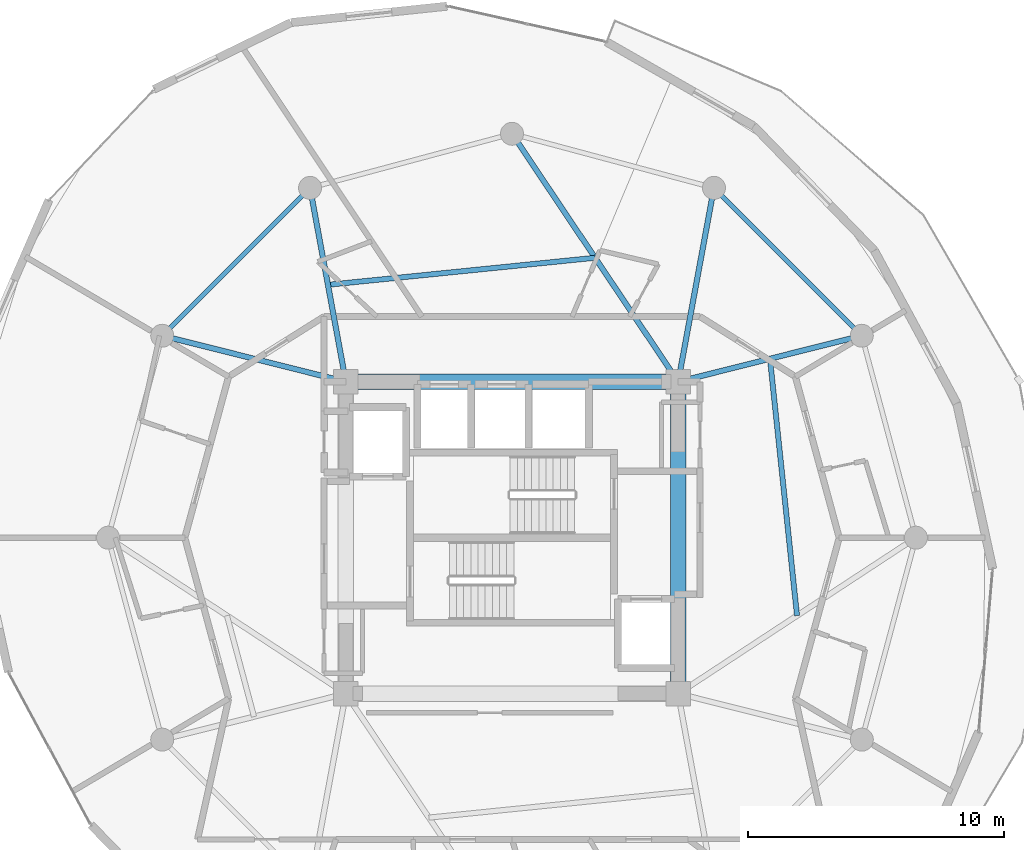
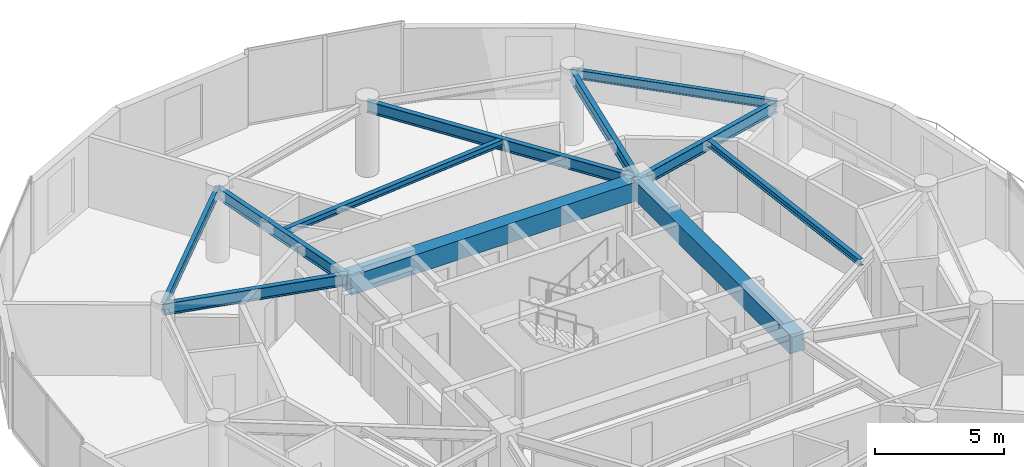
# One storey, part 10 of 23: 11 beams.
"""IFC4 building model written with IfcOpenShell, lengths in metres."""

from ifc_helpers import new_model, si_unit, direction, frame, origin, origin_2d, place, context, subcontext, project, spatial, rectangle, i_section, extrude, material, material_profile, profile_set, type_object, element, save


model = new_model("IFC4")

# Units and contexts
model_context = context("Model", 3, precision=1e-05, world=origin(), true_north=direction((0.0, 1.0)))
body_context = subcontext(model_context, "Body", "Model", "MODEL_VIEW")
ifc_project = project(units=[si_unit("LENGTHUNIT", "METRE"), si_unit("AREAUNIT", "SQUARE_METRE"), si_unit("VOLUMEUNIT", "CUBIC_METRE"), si_unit("PLANEANGLEUNIT", "RADIAN"), si_unit("MASSUNIT", "GRAM", prefix="KILO")], contexts=[model_context])

# Site, building, storey
site_placement = place(None, origin())
site = spatial("IfcSite", under=ifc_project, at=site_placement, CompositionType="ELEMENT")
building_placement = place(site_placement, origin())
building = spatial("IfcBuilding", under=site, at=building_placement, Name="Solvirekh Grand Hotel", CompositionType="ELEMENT")
storey_placement = place(building_placement, frame((0.0, 0.0, 180.39990234375)))
storey = spatial("IfcBuildingStorey", under=building, at=storey_placement, Name="L46", CompositionType="ELEMENT", Elevation=180.39990234375)

# Beams
ifc_material_1 = material(Name="Concrete C50/60", Category="concrete")
ifc_material_profile_1 = material_profile(ifc_material_1, rectangle(XDim=0.60009765625, YDim=0.89990234375, at=origin_2d()), Name="RC BEAM 600X900")
ifc_profile_set_1 = profile_set([ifc_material_profile_1], Name="Concrete C50/60")
beam_type_1 = type_object("IfcBeamType", Name="Beam_Core_RC900", PredefinedType="BEAM", material=ifc_profile_set_1)
beam_1_placement = place(storey_placement, frame((6.5, -6.10009765625, 2.91015625), z_axis=(0.0, 1.0, 0.0), x_axis=(-1.0, 0.0, 0.0)))
element("IfcBeam", 1, at=beam_1_placement, inside=storey, type_object=beam_type_1, Name="L46 core coupling ring beam 2", PredefinedType="BEAM", context=body_context, shape_type="SweptSolid", body=[
    extrude(rectangle(XDim=0.60009765625, YDim=0.89990234375, at=origin_2d()), origin(), (0.0, 0.0, 1.0), 12.2001953125),
])
beam_2_placement = place(storey_placement, frame((6.5, 6.10009765625, 2.91015625), z_axis=(-1.0, 0.0, 0.0), x_axis=(0.0, -1.0, 0.0)))
element("IfcBeam", 2, at=beam_2_placement, inside=storey, type_object=beam_type_1, Name="L46 core coupling ring beam 3", PredefinedType="BEAM", context=body_context, shape_type="SweptSolid", body=[
    extrude(rectangle(XDim=0.60009765625, YDim=0.89990234375, at=origin_2d()), origin(), (0.0, 0.0, 1.0), 13.0),
])
ifc_material_2 = material(Name="Steel S355", Category="steel")
ifc_material_profile_2 = material_profile(ifc_material_2, i_section(OverallWidth=0.2119140625, OverallDepth=0.5439453125, WebThickness=0.011962890625, FlangeThickness=0.01904296875, FilletRadius=0.013916015625, at=origin_2d()), Name="W530X123")
ifc_profile_set_2 = profile_set([ifc_material_profile_2], Name="Steel S355")
beam_type_2 = type_object("IfcBeamType", Name="Beam_Radial_W530H", PredefinedType="BEAM", material=ifc_profile_set_2)
beam_3_placement = place(storey_placement, frame((6.5, 6.10009765625, 3.088134765625), z_axis=(0.970014367692, 0.243047580675, 0.0), x_axis=(-0.243047580675, 0.970014367692, 0.0)))
element("IfcBeam", 3, at=beam_3_placement, inside=storey, type_object=beam_type_2, Name="L46 radial floor beam R02", PredefinedType="BEAM", context=body_context, shape_type="SweptSolid", body=[
    extrude(i_section(OverallWidth=0.2119140625, OverallDepth=0.5439453125, WebThickness=0.011962890625, FlangeThickness=0.01904296875, FilletRadius=0.013916015625, at=origin_2d()), origin(), (0.0, 0.0, 1.0), 7.4052734375),
])
beam_4_placement = place(storey_placement, frame((6.5, 6.10009765625, 3.088134765625), z_axis=(0.181542769111, 0.983383049978, 0.0), x_axis=(-0.983383049978, 0.181542769111, 0.0)))
element("IfcBeam", 4, at=beam_4_placement, inside=storey, type_object=beam_type_2, Name="L46 radial floor beam R03", PredefinedType="BEAM", context=body_context, shape_type="SweptSolid", body=[
    extrude(i_section(OverallWidth=0.2119140625, OverallDepth=0.5439453125, WebThickness=0.011962890625, FlangeThickness=0.01904296875, FilletRadius=0.013916015625, at=origin_2d()), origin(), (0.0, 0.0, 1.0), 7.711181640625),
])
beam_5_placement = place(storey_placement, frame((6.5, 6.10009765625, 3.088134765625), z_axis=(-0.556676926176, 0.830729077295, 0.0), x_axis=(-0.830729077295, -0.556676926176, 0.0)))
element("IfcBeam", 5, at=beam_5_placement, inside=storey, type_object=beam_type_2, Name="L46 radial floor beam R04", PredefinedType="BEAM", context=body_context, shape_type="SweptSolid", body=[
    extrude(i_section(OverallWidth=0.2119140625, OverallDepth=0.5439453125, WebThickness=0.011962890625, FlangeThickness=0.01904296875, FilletRadius=0.013916015625, at=origin_2d()), origin(), (0.0, 0.0, 1.0), 11.676513671875),
])
beam_6_placement = place(storey_placement, frame((-6.5, 6.10009765625, 3.088134765625), z_axis=(-0.181542769111, 0.983383049978, 0.0), x_axis=(-0.983383049978, -0.181542769111, 0.0)))
element("IfcBeam", 6, at=beam_6_placement, inside=storey, type_object=beam_type_2, Name="L46 radial floor beam R05", PredefinedType="BEAM", context=body_context, shape_type="SweptSolid", body=[
    extrude(i_section(OverallWidth=0.2119140625, OverallDepth=0.5439453125, WebThickness=0.011962890625, FlangeThickness=0.01904296875, FilletRadius=0.013916015625, at=origin_2d()), origin(), (0.0, 0.0, 1.0), 7.711181640625),
])
beam_7_placement = place(storey_placement, frame((-6.5, 6.10009765625, 3.088134765625), z_axis=(-0.970014367692, 0.243047580675, 0.0), x_axis=(-0.243047580675, -0.970014367692, 0.0)))
element("IfcBeam", 7, at=beam_7_placement, inside=storey, type_object=beam_type_2, Name="L46 radial floor beam R06", PredefinedType="BEAM", context=body_context, shape_type="SweptSolid", body=[
    extrude(i_section(OverallWidth=0.2119140625, OverallDepth=0.5439453125, WebThickness=0.011962890625, FlangeThickness=0.01904296875, FilletRadius=0.013916015625, at=origin_2d()), origin(), (0.0, 0.0, 1.0), 7.4052734375),
])
ifc_material_profile_3 = material_profile(ifc_material_2, i_section(OverallWidth=0.202880859375, OverallDepth=0.302978515625, WebThickness=0.008056640625, FlangeThickness=0.012939453125, FilletRadius=0.010009765625, at=origin_2d()), Name="W310X60")
ifc_profile_set_3 = profile_set([ifc_material_profile_3], Name="Steel S355")
beam_type_3 = type_object("IfcBeamType", Name="Joist_Floor_W310", PredefinedType="JOIST", material=ifc_profile_set_3)
beam_8_placement = place(storey_placement, frame((11.14990234375, -3.050048828125, 3.2080078125), z_axis=(-0.1047765874, 0.994495785176, 0.0), x_axis=(-0.994495785176, -0.1047765874, 0.0)))
element("IfcBeam", 8, at=beam_8_placement, inside=storey, type_object=beam_type_3, Name="L46 secondary composite floor joist 1", PredefinedType="JOIST", context=body_context, shape_type="SweptSolid", body=[
    extrude(i_section(OverallWidth=0.202880859375, OverallDepth=0.302978515625, WebThickness=0.008056640625, FlangeThickness=0.012939453125, FilletRadius=0.010009765625, at=origin_2d()), origin(), (0.0, 0.0, 1.0), 10.105712890625),
])
beam_9_placement = place(storey_placement, frame((3.25, 10.949951171875, 3.2080078125), z_axis=(-0.994915167737, -0.100716478326, 0.0), x_axis=(0.100716478326, -0.994915167737, 0.0)))
element("IfcBeam", 9, at=beam_9_placement, inside=storey, type_object=beam_type_3, Name="L46 secondary composite floor joist 4", PredefinedType="JOIST", context=body_context, shape_type="SweptSolid", body=[
    extrude(i_section(OverallWidth=0.202880859375, OverallDepth=0.302978515625, WebThickness=0.008056640625, FlangeThickness=0.012939453125, FilletRadius=0.010009765625, at=origin_2d()), origin(), (0.0, 0.0, 1.0), 10.50341796875),
])
ifc_material_profile_4 = material_profile(ifc_material_2, i_section(OverallWidth=0.180908203125, OverallDepth=0.4169921875, WebThickness=0.010009765625, FlangeThickness=0.01611328125, FilletRadius=0.011962890625, at=origin_2d()), Name="W410X85")
ifc_profile_set_4 = profile_set([ifc_material_profile_4], Name="Steel S355")
beam_type_4 = type_object("IfcBeamType", Name="Spandrel_Ring_W410", PredefinedType="SPANDREL", material=ifc_profile_set_4)
for number, where, z_axis, x_axis, name in (
    (10, (13.68310546875, 7.89990234375, 3.152099609375), (-0.707106781187, 0.707106781187, 0.0), (-0.707106781187, -0.707106781187, 0.0), "L46 perimeter spandrel beam 2"),
    (11, (-7.89990234375, 13.68310546875, 3.152099609375), (-0.707106781187, -0.707106781187, 0.0), (0.707106781187, -0.707106781187, 0.0), "L46 perimeter spandrel beam 5"),
):
    element("IfcBeam", number, at=place(storey_placement, frame(where, z_axis=z_axis, x_axis=x_axis)), inside=storey, type_object=beam_type_4, Name=name, PredefinedType="SPANDREL", context=body_context, shape_type="SweptSolid", body=[
        extrude(i_section(OverallWidth=0.180908203125, OverallDepth=0.4169921875, WebThickness=0.010009765625, FlangeThickness=0.01611328125, FilletRadius=0.011962890625, at=origin_2d()), origin(), (0.0, 0.0, 1.0), 8.1787109375),
    ])

save(model, "model.ifc")
